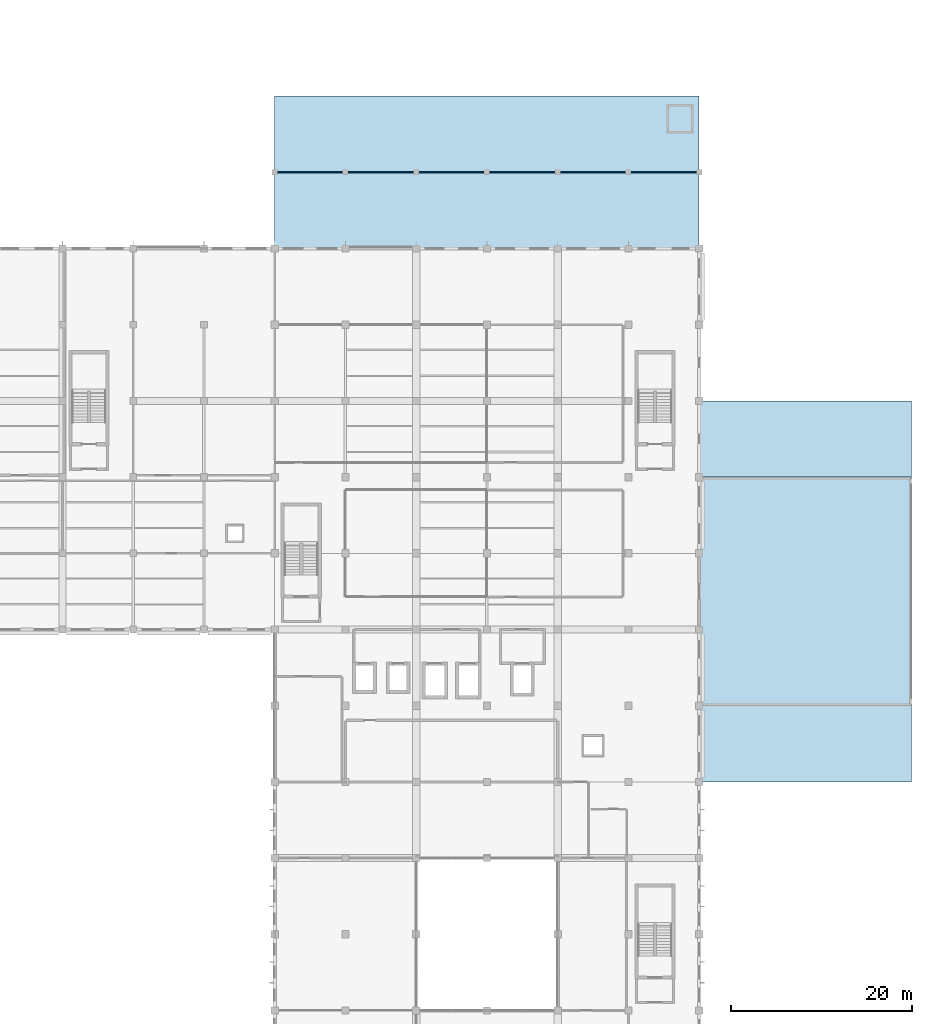
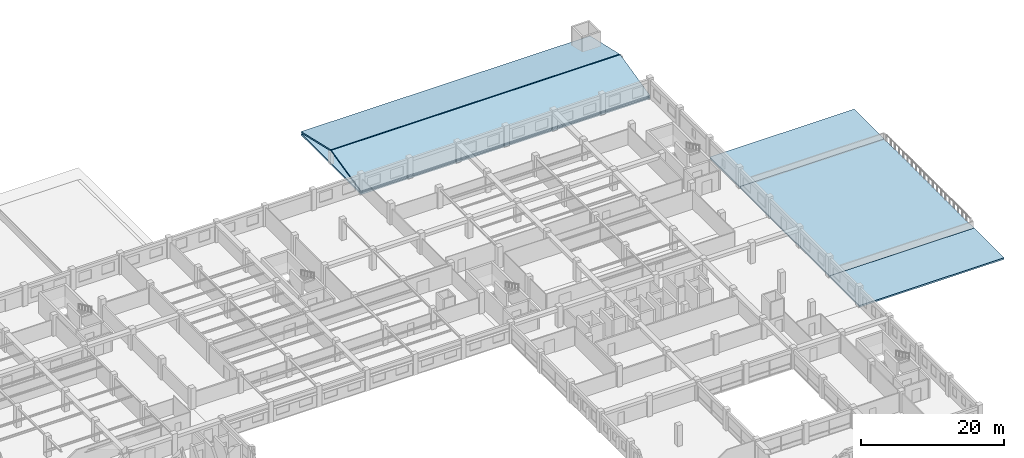
# One storey, part 34 of 50: 6 slabs.
"""IFC4 building model written with IfcOpenShell, lengths in metres."""

from ifc_helpers import new_model, si_unit, direction, frame, origin, place, context, subcontext, project, spatial, polyline, outline, extrude, material, layer, layer_set, type_object, element, save


model = new_model("IFC4")

# Units and contexts
model_context = context("Model", 3, precision=1e-05, world=origin(), true_north=direction((0.0, 1.0)))
body_context = subcontext(model_context, "Body", "Model", "MODEL_VIEW")
ifc_project = project(units=[si_unit("LENGTHUNIT", "METRE"), si_unit("AREAUNIT", "SQUARE_METRE"), si_unit("VOLUMEUNIT", "CUBIC_METRE"), si_unit("PLANEANGLEUNIT", "RADIAN"), si_unit("MASSUNIT", "GRAM", prefix="KILO"), si_unit("THERMODYNAMICTEMPERATUREUNIT", "KELVIN"), si_unit("POWERUNIT", "WATT")], contexts=[model_context])

# Site, building, storey
site_placement = place(None, origin())
site = spatial("IfcSite", under=ifc_project, at=site_placement, CompositionType="ELEMENT")
building_placement = place(site_placement, origin())
building = spatial("IfcBuilding", under=site, at=building_placement, Name="Srebrne Nadtorze General Hospital", CompositionType="ELEMENT")
storey_placement = place(building_placement, frame((0.0, 0.0, 14.39990234375)))
storey = spatial("IfcBuildingStorey", under=building, at=storey_placement, Name="L03", CompositionType="ELEMENT", Elevation=14.39990234375)

# Slabs
ifc_material_1 = material(Name="Concrete C35/45", Category="concrete")
ifc_layer_1 = layer(ifc_material_1, 0.27001953125)
ifc_layer_set_1 = layer_set([ifc_layer_1], Name="Concrete C35/45")
slab_type_1 = type_object("IfcSlabType", Name="Main roof slab 270", PredefinedType="ROOF", material=ifc_layer_set_1)
slab_1_placement = place(storey_placement, frame((0.0, 0.0, -0.27001953125)))
element("IfcSlab", 1, at=slab_1_placement, inside=storey, type_object=slab_type_1, Name="Volume ceiling roof slab RF-L02-03", PredefinedType="ROOF", context=body_context, shape_type="SweptSolid", body=[
    extrude(outline(polyline([(101.39990234375, 109.199951171875), (101.39990234375, 92.39990234375), (148.199951171875, 92.39990234375), (148.199951171875, 109.199951171875), (101.39990234375, 109.199951171875)])), origin(), (0.0, 0.0, 1.0), 0.27001953125),
])
slab_2_placement = place(storey_placement, frame((0.0, 0.0, -0.27001953125)))
element("IfcSlab", 2, at=slab_2_placement, inside=storey, type_object=slab_type_1, Name="Volume ceiling roof slab RF-L02-04", PredefinedType="ROOF", context=body_context, shape_type="SweptSolid", body=[
    extrude(outline(polyline([(171.60009765625, 75.60009765625), (148.199951171875, 75.60009765625), (148.199951171875, 67.199951171875), (171.60009765625, 67.199951171875), (171.60009765625, 75.60009765625)])), origin(), (0.0, 0.0, 1.0), 0.27001953125),
])
slab_3_placement = place(storey_placement, frame((0.0, 0.0, -0.27001953125)))
element("IfcSlab", 3, at=slab_3_placement, inside=storey, type_object=slab_type_1, Name="Volume ceiling roof slab RF-L02-05", PredefinedType="ROOF", context=body_context, shape_type="SweptSolid", body=[
    extrude(outline(polyline([(171.60009765625, 42.0), (148.199951171875, 42.0), (148.199951171875, 33.60009765625), (171.60009765625, 33.60009765625), (171.60009765625, 42.0)])), origin(), (0.0, 0.0, 1.0), 0.27001953125),
])
ifc_material_2 = material(Name="Concrete C35/45", Category="concrete")
ifc_layer_2 = layer(ifc_material_2, 0.219970703125)
ifc_layer_set_2 = layer_set([ifc_layer_2], Name="Concrete C35/45")
slab_type_2 = type_object("IfcSlabType", Name="Pitched pavilion roof slab 220", PredefinedType="ROOF", material=ifc_layer_set_2)
for number, where, z_axis, x_axis, name in (
    (4, (101.39990234375, 92.39990234375, 0.35009765625), (0.0, -0.225961638215, 0.974136200978), (1.0, 0.0, 0.0), "North-east base pitched roof slab RF-RP-NEB-S"),
    (5, (101.39990234375, 100.8798828125, 2.280029296875), (0.0, 0.225961638215, 0.974136200978), (1.0, 0.0, 0.0), "North-east base pitched roof slab RF-RP-NEB-N"),
):
    element("IfcSlab", number, at=place(storey_placement, frame(where, z_axis=z_axis, x_axis=x_axis)), inside=storey, type_object=slab_type_2, Name=name, PredefinedType="ROOF", context=body_context, shape_type="SweptSolid", body=[
        extrude(outline(polyline([(0.0, 0.0), (46.800048828125, 0.0), (46.800048828125, 8.540970298634607), (0.0, 8.540970298634607), (0.0, 0.0)])), origin(), (0.0, 0.0, -1.0), 0.219970703125),
    ])
ifc_material_3 = material(Name="Concrete C35/45", Category="concrete")
ifc_layer_3 = layer(ifc_material_3, 0.2451171875)
ifc_layer_set_3 = layer_set([ifc_layer_3], Name="Concrete C35/45")
slab_type_3 = type_object("IfcSlabType", Name="Terrace slab 245", PredefinedType="FLOOR", material=ifc_layer_set_3)
slab_4_placement = place(storey_placement, frame((0.0, 0.0, -0.244873046875)))
element("IfcSlab", 6, at=slab_4_placement, inside=storey, type_object=slab_type_3, Name="Engawa Roof Garden slab TR-L03-E", PredefinedType="FLOOR", context=body_context, shape_type="SweptSolid", body=[
    extrude(outline(polyline([(148.199951171875, 42.0), (171.60009765625, 42.0), (171.60009765625, 67.199951171875), (148.199951171875, 67.199951171875), (148.199951171875, 42.0)])), origin(), (0.0, 0.0, 1.0), 0.244873046875),
])

save(model, "model.ifc")
